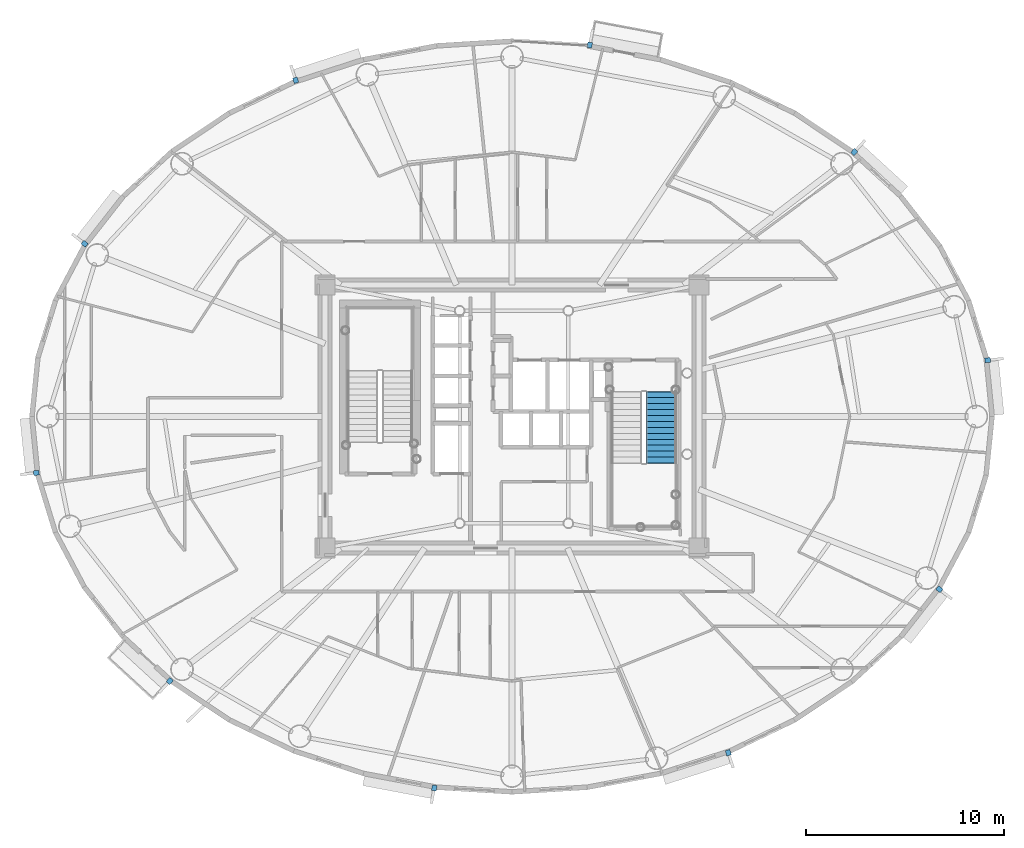
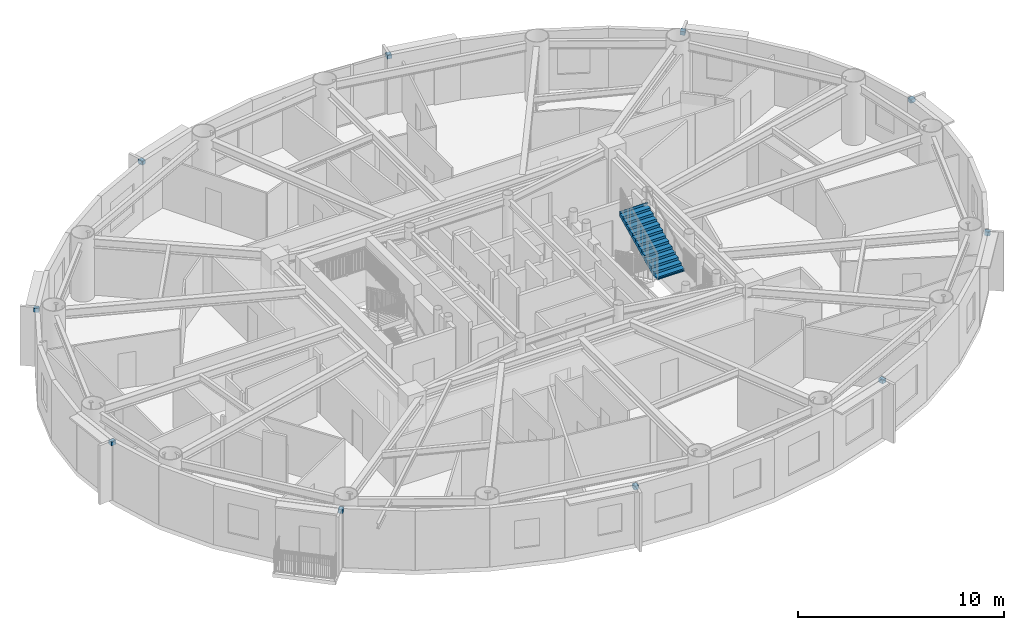
# One storey, part 11 of 18: 10 discrete accessories, 1 stair flight, 1 element without a shape of its own.
"""IFC4 building model written with IfcOpenShell, lengths in metres."""

from ifc_helpers import new_model, si_unit, direction, frame, origin, origin_2d, place, context, subcontext, project, spatial, polyline, rectangle, outline, extrude, source, transform, mapped, material, type_object, element, aggregate, save


model = new_model("IFC4")

# Units and contexts
model_context = context("Model", 3, precision=1e-05, world=origin(), true_north=direction((0.0, 1.0)))
body_context = subcontext(model_context, "Body", "Model", "MODEL_VIEW")
ifc_project = project(units=[si_unit("LENGTHUNIT", "METRE"), si_unit("AREAUNIT", "SQUARE_METRE"), si_unit("VOLUMEUNIT", "CUBIC_METRE"), si_unit("PLANEANGLEUNIT", "RADIAN"), si_unit("MASSUNIT", "GRAM", prefix="KILO")], contexts=[model_context])

# Site, building, storey
site_placement = place(None, origin())
site = spatial("IfcSite", under=ifc_project, at=site_placement, CompositionType="ELEMENT")
building_placement = place(site_placement, origin())
building = spatial("IfcBuilding", under=site, at=building_placement, Name="Linh Dai School and Residence Tower", CompositionType="ELEMENT")
storey_placement = place(building_placement, frame((0.0, 0.0, 240.300048828125)))
storey = spatial("IfcBuildingStorey", under=building, at=storey_placement, Name="L59", CompositionType="ELEMENT", Elevation=240.300048828125)

# Stair, stair flight
ifc_material_1 = material(Name="Concrete B45 (C35/45)", Category="concrete")
stair_type = type_object("IfcStairType", Name="ST-DOG-1550-R1442", PredefinedType="HALF_TURN_STAIR", material=ifc_material_1)
stair_placement = place(storey_placement, origin())
stair = element("IfcStair", 1, at=stair_placement, inside=storey, type_object=stair_type, Name="L59 Core Smokeproof Exit Stair ST2", PredefinedType="HALF_TURN_STAIR")
stair_flight_type = type_object("IfcStairFlightType", Name="STF-STR-1550-R1442", PredefinedType="STRAIGHT", material=ifc_material_1)
shared_shape_1 = source(origin(), body_context, "Body", "SweptSolid", [
    extrude(outline(polyline([(-0.02490234375, 0.0), (-0.02490234375, 0.06005859375), (0.0, 0.06005859375), (0.0, 0.144287109375), (0.300048828125, 0.144287109375), (0.300048828125, 0.28857421875), (0.60009765625, 0.28857421875), (0.60009765625, 0.4326171875), (0.89990234375, 0.4326171875), (0.89990234375, 0.576904296875), (1.199951171875, 0.576904296875), (1.199951171875, 0.72119140625), (1.5, 0.72119140625), (1.5, 0.865478515625), (1.800048828125, 0.865478515625), (1.800048828125, 1.009521484375), (2.10009765625, 1.009521484375), (2.10009765625, 1.15380859375), (2.39990234375, 1.15380859375), (2.39990234375, 1.298095703125), (2.699951171875, 1.298095703125), (2.699951171875, 1.4423828125), (3.0, 1.4423828125), (3.0, 1.58642578125), (3.300048828125, 1.58642578125), (3.300048828125, 1.730712890625), (3.60009765625, 1.730712890625), (3.60009765625, 1.875), (3.625, 1.875), (3.625, 1.564453125), (3.60009765625, 1.564453125), (0.345947265625, 0.0), (-0.02490234375, 0.0)])), frame((0.0, 0.77490234375, 0.0), z_axis=(0.0, -1.0, 0.0), x_axis=(1.0, 0.0, 0.0)), (0.0, 0.0, 1.0), 1.550048828125),
])
stair_flight_placement = place(storey_placement, frame((43.544921875, 24.64990234375, 1.875), z_axis=(0.0, 0.0, 1.0), x_axis=(0.0, 1.0, 0.0)))
stair_flight = element("IfcStairFlight", 2, at=stair_flight_placement, type_object=stair_flight_type, Name="ST2 flight 2", NumberOfRisers=13, NumberOfTreads=12, PredefinedType="STRAIGHT", RiserHeight=0.144230769, TreadLength=0.3, context=body_context, shape_type="MappedRepresentation", body=[
    mapped(shared_shape_1, transform((0.0, 0.0, 0.0), x_axis=(1.0, 0.0, 0.0), y_axis=(0.0, 1.0, 0.0), z_axis=(0.0, 0.0, 1.0), scale=1.0)),
])
aggregate(stair, [stair_flight])

# Discrete accessories
ifc_material_2 = material(Name="Structural Steel S355JR", Category="steel")
discrete_accessory_type = type_object("IfcDiscreteAccessoryType", Name="ACC-BRK-S355", PredefinedType="BRACKET", material=ifc_material_2)
shared_shape_2 = source(origin(), body_context, "Body", "SweptSolid", [
    extrude(rectangle(XDim=0.280029296875, YDim=0.239990234375, at=origin_2d()), origin(), (0.0, 0.0, 1.0), 0.219970703125),
])
for number, where, z_axis, x_axis, name in (
    (3, (60.048828125, 29.8505859375, 3.25), (0.0, 0.0, 1.0), (0.99498620644, 0.100012244219, 0.0), "L59 Facade Frame Anchor Bracket 01"),
    (4, (53.305419921875, 40.3740234375, 3.25), (0.0, 0.0, 1.0), (0.675757574408, 0.737123938446, 0.0), "L59 Facade Frame Anchor Bracket 05"),
    (5, (39.9306640625, 45.782470703125, 3.25), (0.0, 0.0, 1.0), (0.18474448537, 0.982786586765, 0.0), "L59 Facade Frame Anchor Bracket 09"),
    (6, (25.064697265625, 44.000732421875, 3.25), (0.0, 0.0, 1.0), (-0.308501065272, 0.951223997135, 0.0), "L59 Facade Frame Anchor Bracket 13"),
    (7, (14.390869140625, 35.73681640625, 3.25), (0.0, 0.0, 1.0), (-0.787486677066, 0.616331674867, 0.0), "L59 Facade Frame Anchor Bracket 17"),
    (8, (11.951171875, 24.1494140625, 3.25), (0.0, 0.0, 1.0), (-0.99498620644, -0.100012244219, 0.0), "L59 Facade Frame Anchor Bracket 21"),
    (9, (18.694580078125, 13.6259765625, 3.25), (0.0, 0.0, 1.0), (-0.675756089102, -0.737125300096, 0.0), "L59 Facade Frame Anchor Bracket 25"),
    (10, (32.0693359375, 8.217529296875, 3.25), (0.0, 0.0, 1.0), (-0.18474448537, -0.982786586765, 0.0), "L59 Facade Frame Anchor Bracket 29"),
    (11, (46.935302734375, 9.999267578125, 3.25), (0.0, 0.0, 1.0), (0.308501065272, -0.951223997135, 0.0), "L59 Facade Frame Anchor Bracket 33"),
    (12, (57.609130859375, 18.26318359375, 3.25), (0.0, 0.0, 1.0), (0.787485171888, -0.616333598027, 0.0), "L59 Facade Frame Anchor Bracket 37"),
):
    element("IfcDiscreteAccessory", number, at=place(storey_placement, frame(where, z_axis=z_axis, x_axis=x_axis)), inside=storey, type_object=discrete_accessory_type, Name=name, PredefinedType="BRACKET", context=body_context, shape_type="MappedRepresentation", body=[
        mapped(shared_shape_2, transform((0.0, 0.0, 0.0), x_axis=(1.0, 0.0, 0.0), y_axis=(0.0, 1.0, 0.0), z_axis=(0.0, 0.0, 1.0), scale=1.0)),
    ])

save(model, "model.ifc")
